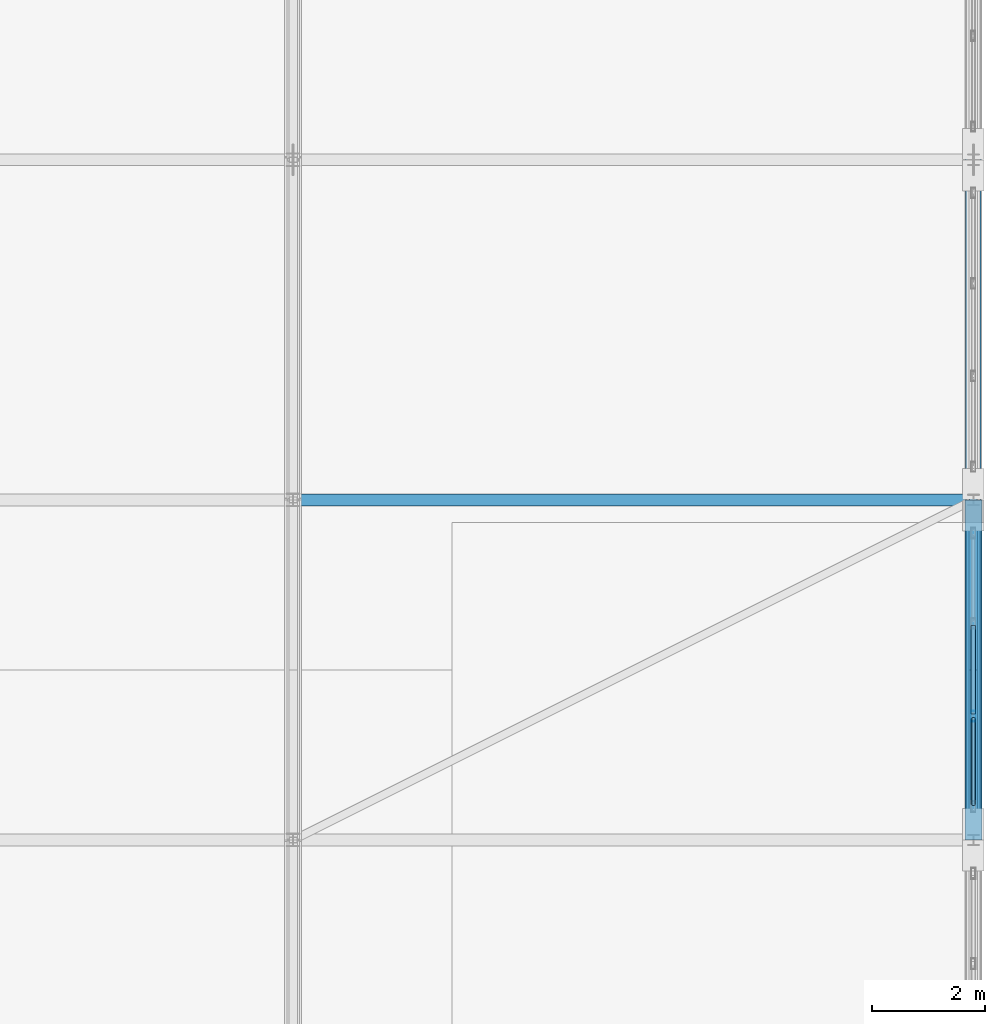
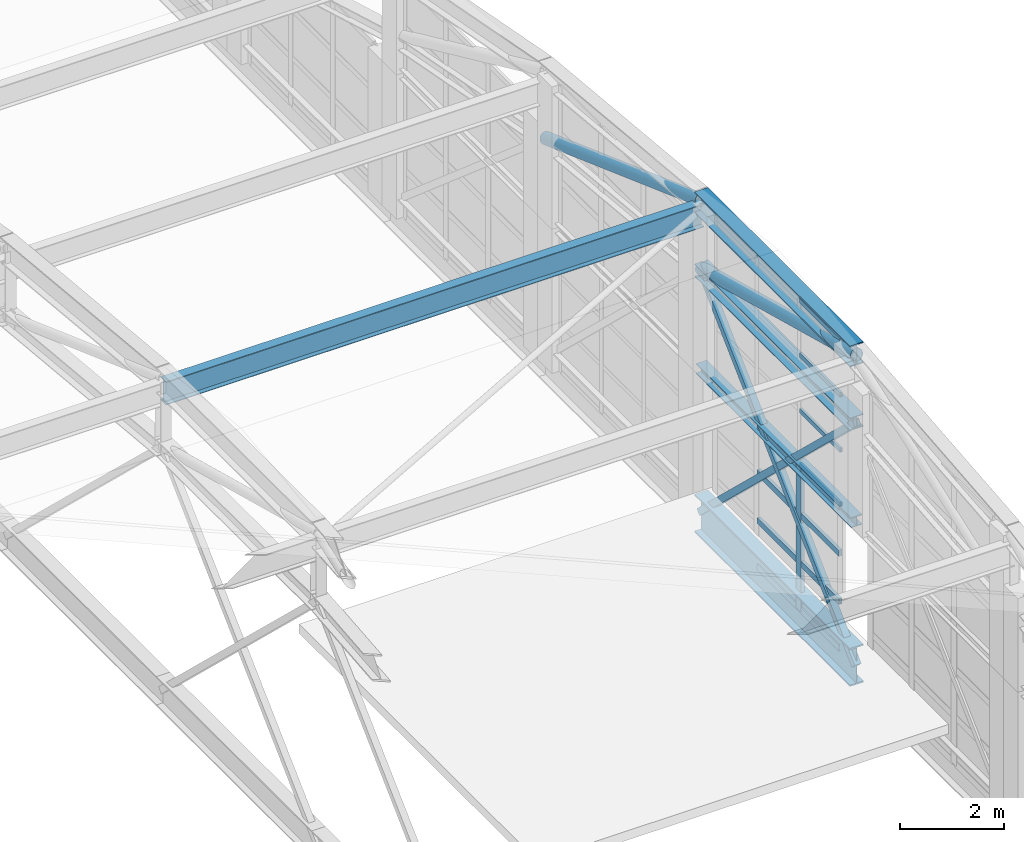
# One storey, part 136 of 204: 22 members, 2 elements without a shape of their own.
"""IFC4 building model written with IfcOpenShell, lengths in metres."""

from ifc_helpers import new_model, si_unit, direction, frame, origin, origin_2d, place, context, subcontext, project, spatial, hollow_rectangle, hollow_circle, i_section, extrude, material, layer, layer_set, material_profile, profile_set, type_object, element, aggregate, save


model = new_model("IFC4")

# Units and contexts
model_context = context("Model", 3, precision=1e-05, world=origin(), true_north=direction((0.0, 1.0)))
body_context = subcontext(model_context, "Body", "Model", "MODEL_VIEW")
ifc_project = project(units=[si_unit("LENGTHUNIT", "METRE"), si_unit("AREAUNIT", "SQUARE_METRE"), si_unit("VOLUMEUNIT", "CUBIC_METRE"), si_unit("PLANEANGLEUNIT", "RADIAN"), si_unit("MASSUNIT", "GRAM", prefix="KILO")], contexts=[model_context])

# Site, building, storey
site_placement = place(None, origin())
site = spatial("IfcSite", under=ifc_project, at=site_placement, CompositionType="ELEMENT")
building_placement = place(site_placement, origin())
building = spatial("IfcBuilding", under=site, at=building_placement, Name="Zilviju Railside Exhibition Hall", CompositionType="ELEMENT")
storey_placement = place(building_placement, frame((0.0, 0.0, 21.0)))
storey = spatial("IfcBuildingStorey", under=building, at=storey_placement, Name="RF", CompositionType="ELEMENT", Elevation=21.0)

# Curtain wall, member
ifc_material_1 = material(Name="Thermally broken aluminium-steel triple-glazed curtain wall", Category="steel")
ifc_layer_1 = layer(ifc_material_1, 0.179931640625)
ifc_layer_set_1 = layer_set([ifc_layer_1], Name="Thermally broken aluminium-steel triple-glazed curtain wall")
curtain_wall_type_1 = type_object("IfcCurtainWallType", Name="CW-BAY-17", PredefinedType="USERDEFINED", material=ifc_layer_set_1)
curtain_wall_1_placement = place(storey_placement, origin())
curtain_wall_1 = element("IfcCurtainWall", 1, at=curtain_wall_1_placement, inside=storey, type_object=curtain_wall_type_1, Name="North Hall Arch Lower Tympanum Glazing East P5", ObjectType="GLAZED CURTAIN WALL", PredefinedType="USERDEFINED")
ifc_material_2 = material(Name="Thermally broken anodized aluminium mullion", Category="aluminium")
ifc_material_profile_1 = material_profile(ifc_material_2, hollow_rectangle(XDim=0.074951171875, YDim=0.18994140625, WallThickness=0.0048828125, at=origin_2d()), Name="MULLION 190x75x5")
ifc_profile_set_1 = profile_set([ifc_material_profile_1], Name="Thermally broken anodized aluminium mullion")
member_type_1 = type_object("IfcMemberType", Name="CWM-75x190", PredefinedType="MULLION", material=ifc_profile_set_1)
member_1_placement = place(storey_placement, frame((216.0, 110.183349609375, -3.60009765625), z_axis=(0.0, 0.0, 1.0), x_axis=(1.0, 0.0, 0.0)))
member_1 = element("IfcMember", 2, at=member_1_placement, type_object=member_type_1, Name="CW-17 mullion 3", PredefinedType="MULLION", context=body_context, shape_type="SweptSolid", body=[
    extrude(hollow_rectangle(XDim=0.074951171875, YDim=0.18994140625, WallThickness=0.0048828125, at=origin_2d()), origin(), (0.0, 0.0, 1.0), 3.400146484375),
])

# Curtain wall, members
ifc_layer_2 = layer(ifc_material_1, 0.179931640625)
ifc_layer_set_2 = layer_set([ifc_layer_2], Name="Thermally broken aluminium-steel triple-glazed curtain wall")
curtain_wall_type_2 = type_object("IfcCurtainWallType", Name="CW-BAY-04", PredefinedType="USERDEFINED", material=ifc_layer_set_2)
curtain_wall_2_placement = place(storey_placement, origin())
curtain_wall_2 = element("IfcCurtainWall", 3, at=curtain_wall_2_placement, inside=storey, type_object=curtain_wall_type_2, Name="North Hall Crown Arch Tympanum Glazing East P5", ObjectType="GLAZED CURTAIN WALL", PredefinedType="USERDEFINED")
ifc_material_3 = material(Name="Thermally broken anodized aluminium transom", Category="aluminium")
ifc_material_profile_2 = material_profile(ifc_material_3, hollow_rectangle(XDim=0.054931640625, YDim=0.10498046875, WallThickness=0.0048828125, at=origin_2d()), Name="TRANSOM 105x55x5")
ifc_profile_set_2 = profile_set([ifc_material_profile_2], Name="Thermally broken anodized aluminium transom")
member_type_2 = type_object("IfcMemberType", Name="CWT-55x105", PredefinedType="USERDEFINED", material=ifc_profile_set_2)
member_2_placement = place(storey_placement, frame((216.0, 110.15576171875, -0.172607421875), z_axis=(0.0, -1.0, 0.0), x_axis=(1.0, 0.0, 0.0)))
member_2 = element("IfcMember", 4, at=member_2_placement, type_object=member_type_2, Name="CW-04 transom 3.1", ObjectType="TRANSOM", PredefinedType="USERDEFINED", context=body_context, shape_type="SweptSolid", body=[
    extrude(hollow_rectangle(XDim=0.054931640625, YDim=0.10498046875, WallThickness=0.0048828125, at=origin_2d()), origin(), (0.0, 0.0, 1.0), 1.55078125),
])
member_3_placement = place(storey_placement, frame((216.0, 110.15576171875, 1.10888671875), z_axis=(0.0, -1.0, 0.0), x_axis=(1.0, 0.0, 0.0)))
member_3 = element("IfcMember", 5, at=member_3_placement, type_object=member_type_2, Name="CW-04 transom 3.2", ObjectType="TRANSOM", PredefinedType="USERDEFINED", context=body_context, shape_type="SweptSolid", body=[
    extrude(hollow_rectangle(XDim=0.054931640625, YDim=0.10498046875, WallThickness=0.0048828125, at=origin_2d()), origin(), (0.0, 0.0, 1.0), 1.55078125),
])
member_4_placement = place(storey_placement, frame((216.0, 110.15576171875, 2.4189453125), z_axis=(0.0, -1.0, 0.0), x_axis=(1.0, 0.0, 0.0)))
member_4 = element("IfcMember", 6, at=member_4_placement, type_object=member_type_2, Name="CW-04 transom 3.3", ObjectType="TRANSOM", PredefinedType="USERDEFINED", context=body_context, shape_type="SweptSolid", body=[
    extrude(hollow_rectangle(XDim=0.054931640625, YDim=0.10498046875, WallThickness=0.0048828125, at=origin_2d()), origin(), (0.0, 0.0, 1.0), 1.55078125),
])
member_5_placement = place(storey_placement, frame((216.0, 110.15576171875, 3.700927734375), z_axis=(0.0, -1.0, 0.0), x_axis=(1.0, 0.0, 0.0)))
member_5 = element("IfcMember", 7, at=member_5_placement, type_object=member_type_2, Name="CW-04 transom 3.4", ObjectType="TRANSOM", PredefinedType="USERDEFINED", context=body_context, shape_type="SweptSolid", body=[
    extrude(hollow_rectangle(XDim=0.054931640625, YDim=0.10498046875, WallThickness=0.0048828125, at=origin_2d()), origin(), (0.0, 0.0, 1.0), 1.55078125),
])
aggregate(curtain_wall_2, [member_2, member_3, member_4, member_5])

# Member
ifc_material_profile_3 = material_profile(ifc_material_3, hollow_rectangle(XDim=0.074951171875, YDim=0.139892578125, WallThickness=0.0048828125, at=origin_2d()), Name="TRANSOM 140x75x5")
ifc_profile_set_3 = profile_set([ifc_material_profile_3], Name="Thermally broken anodized aluminium transom")
member_type_3 = type_object("IfcMemberType", Name="CWT-75x140", PredefinedType="USERDEFINED", material=ifc_profile_set_3)
member_6_placement = place(storey_placement, frame((216.0, 111.779052734375, -3.5625), z_axis=(0.0, -1.0, 0.0), x_axis=(1.0, 0.0, 0.0)))
member_6 = element("IfcMember", 8, at=member_6_placement, type_object=member_type_3, Name="CW-17 transom 2.1", ObjectType="TRANSOM", PredefinedType="USERDEFINED", context=body_context, shape_type="SweptSolid", body=[
    extrude(hollow_rectangle(XDim=0.074951171875, YDim=0.139892578125, WallThickness=0.0048828125, at=origin_2d()), origin(), (0.0, 0.0, 1.0), 1.55810546875),
])

member_7_placement = place(storey_placement, frame((216.0, 111.779052734375, -2.467041015625), z_axis=(0.0, -1.0, 0.0), x_axis=(1.0, 0.0, 0.0)))
member_7 = element("IfcMember", 9, at=member_7_placement, type_object=member_type_3, Name="CW-17 transom 2.2", ObjectType="TRANSOM", PredefinedType="USERDEFINED", context=body_context, shape_type="SweptSolid", body=[
    extrude(hollow_rectangle(XDim=0.074951171875, YDim=0.139892578125, WallThickness=0.0048828125, at=origin_2d()), origin(), (0.0, 0.0, 1.0), 1.55810546875),
])

member_8_placement = place(storey_placement, frame((216.0, 111.779052734375, -1.3330078125), z_axis=(0.0, -1.0, 0.0), x_axis=(1.0, 0.0, 0.0)))
member_8 = element("IfcMember", 10, at=member_8_placement, type_object=member_type_3, Name="CW-17 transom 2.3", ObjectType="TRANSOM", PredefinedType="USERDEFINED", context=body_context, shape_type="SweptSolid", body=[
    extrude(hollow_rectangle(XDim=0.074951171875, YDim=0.139892578125, WallThickness=0.0048828125, at=origin_2d()), origin(), (0.0, 0.0, 1.0), 1.55810546875),
])

member_9_placement = place(storey_placement, frame((216.0, 111.779052734375, -0.237548828125), z_axis=(0.0, -1.0, 0.0), x_axis=(1.0, 0.0, 0.0)))
member_9 = element("IfcMember", 11, at=member_9_placement, type_object=member_type_3, Name="CW-17 transom 2.4", ObjectType="TRANSOM", PredefinedType="USERDEFINED", context=body_context, shape_type="SweptSolid", body=[
    extrude(hollow_rectangle(XDim=0.074951171875, YDim=0.139892578125, WallThickness=0.0048828125, at=origin_2d()), origin(), (0.0, 0.0, 1.0), 1.55810546875),
])

member_10_placement = place(storey_placement, frame((216.0, 110.145751953125, -3.5625), z_axis=(0.0, -1.0, 0.0), x_axis=(1.0, 0.0, 0.0)))
member_10 = element("IfcMember", 12, at=member_10_placement, type_object=member_type_3, Name="CW-17 transom 3.1", ObjectType="TRANSOM", PredefinedType="USERDEFINED", context=body_context, shape_type="SweptSolid", body=[
    extrude(hollow_rectangle(XDim=0.074951171875, YDim=0.139892578125, WallThickness=0.0048828125, at=origin_2d()), origin(), (0.0, 0.0, 1.0), 1.520751953125),
])

member_11_placement = place(storey_placement, frame((216.0, 110.145751953125, -2.467041015625), z_axis=(0.0, -1.0, 0.0), x_axis=(1.0, 0.0, 0.0)))
member_11 = element("IfcMember", 13, at=member_11_placement, type_object=member_type_3, Name="CW-17 transom 3.2", ObjectType="TRANSOM", PredefinedType="USERDEFINED", context=body_context, shape_type="SweptSolid", body=[
    extrude(hollow_rectangle(XDim=0.074951171875, YDim=0.139892578125, WallThickness=0.0048828125, at=origin_2d()), origin(), (0.0, 0.0, 1.0), 1.520751953125),
])

member_12_placement = place(storey_placement, frame((216.0, 110.145751953125, -1.3330078125), z_axis=(0.0, -1.0, 0.0), x_axis=(1.0, 0.0, 0.0)))
member_12 = element("IfcMember", 14, at=member_12_placement, type_object=member_type_3, Name="CW-17 transom 3.3", ObjectType="TRANSOM", PredefinedType="USERDEFINED", context=body_context, shape_type="SweptSolid", body=[
    extrude(hollow_rectangle(XDim=0.074951171875, YDim=0.139892578125, WallThickness=0.0048828125, at=origin_2d()), origin(), (0.0, 0.0, 1.0), 1.520751953125),
])

member_13_placement = place(storey_placement, frame((216.0, 110.145751953125, -0.237548828125), z_axis=(0.0, -1.0, 0.0), x_axis=(1.0, 0.0, 0.0)))
member_13 = element("IfcMember", 15, at=member_13_placement, type_object=member_type_3, Name="CW-17 transom 3.4", ObjectType="TRANSOM", PredefinedType="USERDEFINED", context=body_context, shape_type="SweptSolid", body=[
    extrude(hollow_rectangle(XDim=0.074951171875, YDim=0.139892578125, WallThickness=0.0048828125, at=origin_2d()), origin(), (0.0, 0.0, 1.0), 1.520751953125),
])

aggregate(curtain_wall_1, [member_1, member_6, member_7, member_8, member_9, member_10, member_11, member_12, member_13])

# Members
ifc_material_4 = material(Name="Steel S355ML", Category="steel")
ifc_material_profile_4 = material_profile(ifc_material_4, hollow_circle(Radius=0.136474609375, WallThickness=0.012451171875, at=origin_2d()), Name="CHS 273.0x12.5")
ifc_profile_set_4 = profile_set([ifc_material_profile_4], Name="Steel S355ML")
member_type_4 = type_object("IfcMemberType", Name="TR-BR-CHS273", PredefinedType="BRACE", material=ifc_profile_set_4)
member_14_placement = place(storey_placement, frame((216.0, 108.0, 3.728515625), z_axis=(0.0, 0.966231024199, -0.25767733287), x_axis=(-1.0, 0.0, 0.0)))
element("IfcMember", 16, at=member_14_placement, inside=storey, type_object=member_type_4, Name="V2 Parabolic Arch Web Diagonal X=216.0 P5", PredefinedType="BRACE", context=body_context, shape_type="SweptSolid", body=[
    extrude(hollow_circle(Radius=0.136474609375, WallThickness=0.012451171875, at=origin_2d()), origin(), (0.0, 0.0, 1.0), 6.209716796875),
])
member_15_placement = place(storey_placement, frame((216.0, 114.0, 3.728515625), z_axis=(0.0, 0.940243888255, -0.340501733621), x_axis=(-1.0, 0.0, 0.0)))
element("IfcMember", 17, at=member_15_placement, inside=storey, type_object=member_type_4, Name="V2 Parabolic Arch Web Diagonal X=216.0 P6", PredefinedType="BRACE", context=body_context, shape_type="SweptSolid", body=[
    extrude(hollow_circle(Radius=0.136474609375, WallThickness=0.012451171875, at=origin_2d()), origin(), (0.0, 0.0, 1.0), 6.38134765625),
])
ifc_material_5 = material(Name="Steel S355J2", Category="steel")
ifc_material_profile_5 = material_profile(ifc_material_5, i_section(OverallWidth=0.239990234375, OverallDepth=0.239990234375, WebThickness=0.010009765625, FlangeThickness=0.01708984375, at=origin_2d()), Name="HEB 240")
ifc_profile_set_5 = profile_set([ifc_material_profile_5], Name="Steel S355J2")
member_type_5 = type_object("IfcMemberType", Name="TR-CH-HEB240", PredefinedType="CHORD", material=ifc_profile_set_5)
member_16_placement = place(storey_placement, frame((216.0, 108.0, -0.199951171875), z_axis=(0.0, 1.0, 0.0), x_axis=(-1.0, 0.0, 0.0)))
element("IfcMember", 18, at=member_16_placement, inside=storey, type_object=member_type_5, Name="V2 Crown Gable Transom X=216.0 (108..114)", PredefinedType="CHORD", context=body_context, shape_type="SweptSolid", body=[
    extrude(i_section(OverallWidth=0.239990234375, OverallDepth=0.239990234375, WebThickness=0.010009765625, FlangeThickness=0.01708984375, at=origin_2d()), origin(), (0.0, 0.0, 1.0), 6.0),
])
ifc_material_profile_6 = material_profile(ifc_material_4, i_section(OverallWidth=0.300048828125, OverallDepth=0.300048828125, WebThickness=0.010986328125, FlangeThickness=0.01904296875, at=origin_2d()), Name="HEB 300")
ifc_profile_set_6 = profile_set([ifc_material_profile_6], Name="Steel S355ML")
member_type_6 = type_object("IfcMemberType", Name="TR-CH-HEB300", PredefinedType="CHORD", material=ifc_profile_set_6)
member_17_placement = place(storey_placement, frame((216.0, 108.0, 2.12841796875), z_axis=(0.0, 1.0, 0.0), x_axis=(-1.0, 0.0, 0.0)))
element("IfcMember", 19, at=member_17_placement, inside=storey, type_object=member_type_6, Name="V2 Parabolic Arch Bottom Chord X=216.0 P5", PredefinedType="CHORD", context=body_context, shape_type="SweptSolid", body=[
    extrude(i_section(OverallWidth=0.300048828125, OverallDepth=0.300048828125, WebThickness=0.010986328125, FlangeThickness=0.01904296875, at=origin_2d()), origin(), (0.0, 0.0, 1.0), 6.0),
])
ifc_material_profile_7 = material_profile(ifc_material_4, i_section(OverallWidth=0.300048828125, OverallDepth=0.5, WebThickness=0.014404296875, FlangeThickness=0.028076171875, at=origin_2d()), Name="HEB 500")
ifc_profile_set_7 = profile_set([ifc_material_profile_7], Name="Steel S355ML")
member_type_7 = type_object("IfcMemberType", Name="TR-CH-HEB500-ML", PredefinedType="CHORD", material=ifc_profile_set_7)
member_18_placement = place(storey_placement, frame((216.0, 108.0, 3.728515625), z_axis=(0.0, 1.0, 0.0), x_axis=(-1.0, 0.0, 0.0)))
element("IfcMember", 20, at=member_18_placement, inside=storey, type_object=member_type_7, Name="V2 Parabolic Arch Top Chord X=216.0 P5", PredefinedType="CHORD", context=body_context, shape_type="SweptSolid", body=[
    extrude(i_section(OverallWidth=0.300048828125, OverallDepth=0.5, WebThickness=0.014404296875, FlangeThickness=0.028076171875, at=origin_2d()), origin(), (0.0, 0.0, 1.0), 6.0),
])
ifc_material_profile_8 = material_profile(ifc_material_5, hollow_rectangle(XDim=0.14990234375, YDim=0.14990234375, WallThickness=0.008056640625, at=origin_2d()), Name="SHS 150x150x8.0")
ifc_profile_set_8 = profile_set([ifc_material_profile_8], Name="Steel S355J2")
member_type_8 = type_object("IfcMemberType", Name="TR-POST-SHS150", PredefinedType="POST", material=ifc_profile_set_8)
for number, where, z_axis, x_axis, name in (
    (21, (216.0, 108.0, -3.60009765625), (0.0, 0.723280707221, 0.690554138763), (-1.0, 0.0, 0.0), "V2 Arch Tie Hanger X=216.0 N4"),
    (22, (216.0, 114.0, -3.60009765625), (0.0, -0.723280707221, 0.690554138763), (1.0, 0.0, 0.0), "V2 Arch Tie Hanger X=216.0 N5"),
):
    element("IfcMember", number, at=place(storey_placement, frame(where, z_axis=z_axis, x_axis=x_axis)), inside=storey, type_object=member_type_8, Name=name, PredefinedType="POST", context=body_context, shape_type="SweptSolid", body=[
        extrude(hollow_rectangle(XDim=0.14990234375, YDim=0.14990234375, WallThickness=0.008056640625, at=origin_2d()), origin(), (0.0, 0.0, 1.0), 8.295654296875),
    ])
ifc_material_profile_9 = material_profile(ifc_material_5, i_section(OverallWidth=0.2099609375, OverallDepth=0.550048828125, WebThickness=0.010986328125, FlangeThickness=0.01708984375, at=origin_2d()), Name="IPE 550")
ifc_profile_set_9 = profile_set([ifc_material_profile_9], Name="Steel S355J2")
member_type_9 = type_object("IfcMemberType", Name="TR-PUR-IPE550", PredefinedType="PURLIN", material=ifc_profile_set_9)
member_19_placement = place(storey_placement, frame((204.0, 114.0, 3.4326171875), z_axis=(1.0, 0.0, 0.0), x_axis=(0.0, 1.0, 0.0)))
element("IfcMember", 23, at=member_19_placement, inside=storey, type_object=member_type_9, Name="V2 Barrel Vault Roof Purlin Y=114.0 (204.0..216.0)", PredefinedType="PURLIN", context=body_context, shape_type="SweptSolid", body=[
    extrude(i_section(OverallWidth=0.2099609375, OverallDepth=0.550048828125, WebThickness=0.010986328125, FlangeThickness=0.01708984375, at=origin_2d()), origin(), (0.0, 0.0, 1.0), 12.0),
])
ifc_material_profile_10 = material_profile(ifc_material_5, i_section(OverallWidth=0.300048828125, OverallDepth=0.89990234375, WebThickness=0.0185546875, FlangeThickness=0.034912109375, at=origin_2d()), Name="HEB 900")
ifc_profile_set_10 = profile_set([ifc_material_profile_10], Name="Steel S355J2")
member_type_10 = type_object("IfcMemberType", Name="TR-TIE-HEB900", PredefinedType="CHORD", material=ifc_profile_set_10)
member_20_placement = place(storey_placement, frame((216.0, 108.0, -3.60009765625), z_axis=(0.0, 1.0, 0.0), x_axis=(-1.0, 0.0, 0.0)))
element("IfcMember", 24, at=member_20_placement, inside=storey, type_object=member_type_10, Name="V2 Arch Tie Member X=216.0", PredefinedType="CHORD", context=body_context, shape_type="SweptSolid", body=[
    extrude(i_section(OverallWidth=0.300048828125, OverallDepth=0.89990234375, WebThickness=0.0185546875, FlangeThickness=0.034912109375, at=origin_2d()), origin(), (0.0, 0.0, 1.0), 6.0),
])

save(model, "model.ifc")
